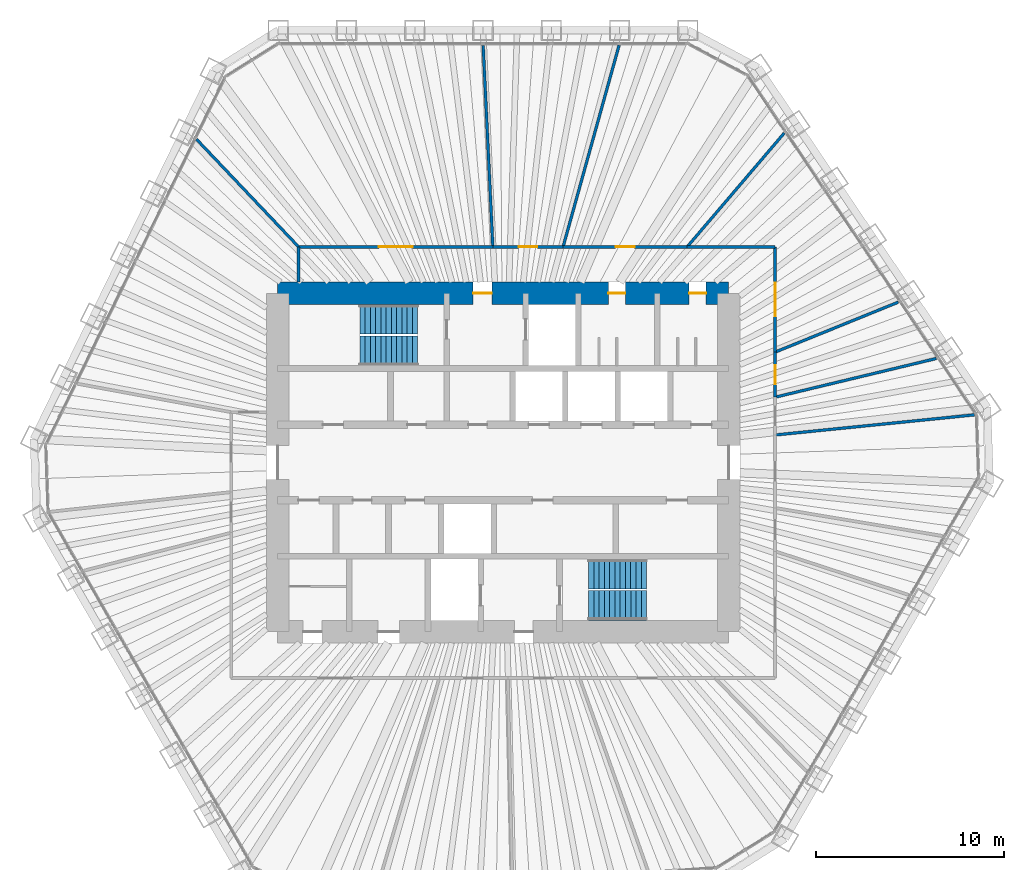
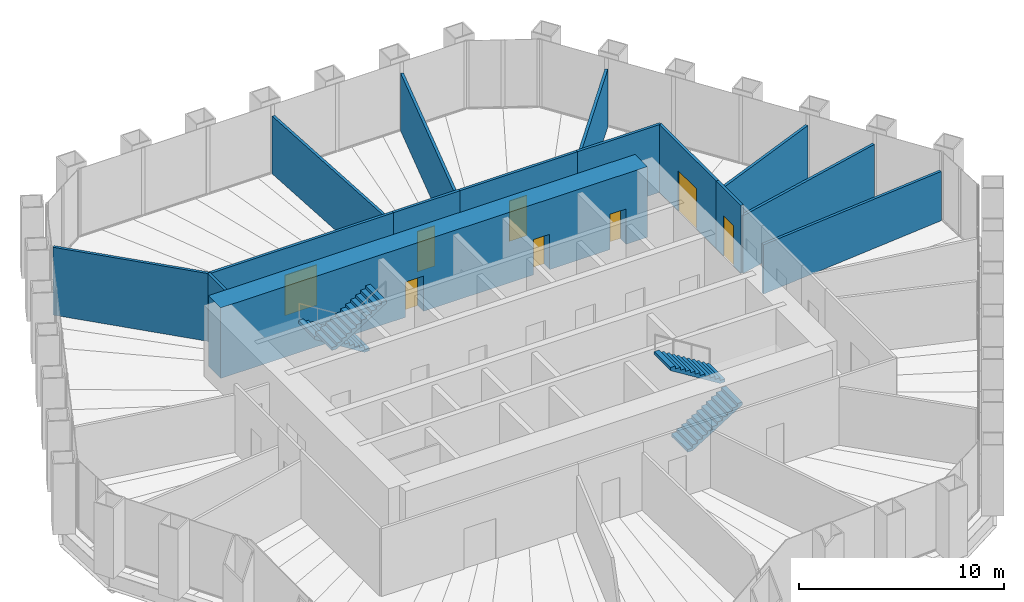
# One storey, part 12 of 13: 15 walls, 8 doors, 4 stair flights, 8 openings, 2 elements without a shape of their own.
"""IFC4 building model written with IfcOpenShell, lengths in metres."""

from ifc_helpers import new_model, si_unit, direction, frame, frame_2d, origin, place, context, subcontext, project, spatial, polyline, rectangle, outline, extrude, material, layer, layer_set, type_object, element, fill, aggregate, save


model = new_model("IFC4")

# Units and contexts
model_context = context("Model", 3, precision=1e-05, world=origin(), true_north=direction((0.0, 1.0)))
body_context = subcontext(model_context, "Body", "Model", "MODEL_VIEW")
ifc_project = project(units=[si_unit("LENGTHUNIT", "METRE"), si_unit("AREAUNIT", "SQUARE_METRE"), si_unit("VOLUMEUNIT", "CUBIC_METRE"), si_unit("PLANEANGLEUNIT", "RADIAN"), si_unit("MASSUNIT", "GRAM", prefix="KILO")], contexts=[model_context])

# Site, building, storey
site_placement = place(None, origin())
site = spatial("IfcSite", under=ifc_project, at=site_placement, CompositionType="ELEMENT")
building_placement = place(site_placement, origin())
building = spatial("IfcBuilding", under=site, at=building_placement, Name="Qingtian Harvest Tower", CompositionType="ELEMENT")
storey_placement = place(building_placement, frame((0.0, 0.0, 214.0)))
storey = spatial("IfcBuildingStorey", under=building, at=storey_placement, Name="L46", CompositionType="ELEMENT", Elevation=214.0)

# Wall, openings, doors
ifc_material_1 = material(Name="Concrete fc' 70 MPa", Category="concrete")
ifc_layer_1 = layer(ifc_material_1, 1.199951171875)
ifc_layer_set_1 = layer_set([ifc_layer_1], Name="Core wall RC2 1200")
wall_type_1 = type_object("IfcWallType", Name="Core wall RC2 1200", PredefinedType="SHEAR", material=ifc_layer_set_1)
wall_1_placement = place(storey_placement, frame((-12.0, 9.0, 0.0), z_axis=(0.0, 0.0, 1.0), x_axis=(1.0, 0.0, 0.0)))
wall_1 = element("IfcWall", 1, at=wall_1_placement, inside=storey, type_object=wall_type_1, Name="Core wall CN L46", PredefinedType="SHEAR", context=body_context, shape_type="SweptSolid", body=[
    extrude(rectangle(XDim=24.0, YDim=1.199951171875, at=frame_2d((12.0, 0.0))), origin(), (0.0, 0.0, 1.0), 4.199951171875),
])
opening_1_placement = place(wall_1_placement, frame((10.39990234375, 0.0, 0.0)))
opening_1 = element("IfcOpeningElement", 2, at=opening_1_placement, cuts=wall_1, Name="Opening FD1", PredefinedType="OPENING", context=body_context, shape_type="SweptSolid", body=[
    extrude(rectangle(XDim=1.0, YDim=2.10009765625, at=frame_2d((0.5, 1.050048828125))), frame((0.0, 0.60986328125, 0.0), z_axis=(0.0, -1.0, 0.0), x_axis=(1.0, 0.0, 0.0)), (0.0, 0.0, 1.0), 1.219970703125),
])
opening_2_placement = place(wall_1_placement, frame((17.60009765625, 0.0, 0.0)))
opening_2 = element("IfcOpeningElement", 3, at=opening_2_placement, cuts=wall_1, Name="Opening D1", PredefinedType="OPENING", context=body_context, shape_type="SweptSolid", body=[
    extrude(rectangle(XDim=0.89990234375, YDim=2.10009765625, at=frame_2d((0.449951171875, 1.050048828125))), frame((0.0, 0.60986328125, 0.0), z_axis=(0.0, -1.0, 0.0), x_axis=(1.0, 0.0, 0.0)), (0.0, 0.0, 1.0), 1.219970703125),
])
opening_3_placement = place(wall_1_placement, frame((21.89990234375, 0.0, 0.0)))
opening_3 = element("IfcOpeningElement", 4, at=opening_3_placement, cuts=wall_1, Name="Opening D1", PredefinedType="OPENING", context=body_context, shape_type="SweptSolid", body=[
    extrude(rectangle(XDim=0.89990234375, YDim=2.10009765625, at=frame_2d((0.449951171875, 1.050048828125))), frame((0.0, 0.60986328125, 0.0), z_axis=(0.0, -1.0, 0.0), x_axis=(1.0, 0.0, 0.0)), (0.0, 0.0, 1.0), 1.219970703125),
])
ifc_material_2 = material(Name="Steel-faced door leaf", Category="steel")
door_type_1 = type_object("IfcDoorType", Name="Fire door FD1 single 1 HR", OperationType="SINGLE_SWING_LEFT", PredefinedType="DOOR", material=ifc_material_2)
door_1_placement = place(opening_1_placement, origin())
door_1 = element("IfcDoor", 5, at=door_1_placement, inside=storey, type_object=door_type_1, Name="V1 door L46", OperationType="SINGLE_SWING_RIGHT", OverallHeight=2.10009765625, OverallWidth=1.0, PredefinedType="DOOR", context=body_context, shape_type="SweptSolid", body=[
    extrude(rectangle(XDim=1.0, YDim=2.10009765625, at=frame_2d((0.5, 1.050048828125))), frame((0.0, 0.02490234375, 0.0), z_axis=(0.0, -1.0, 0.0), x_axis=(1.0, 0.0, 0.0)), (0.0, 0.0, 1.0), 0.050048828125),
])
fill(opening_1, door_1)
ifc_material_3 = material(Name="Laminated timber door leaf", Category="wood")
door_type_2 = type_object("IfcDoorType", Name="Toilet door D1 single", OperationType="SINGLE_SWING_LEFT", PredefinedType="DOOR", material=ifc_material_3)
door_2_placement = place(opening_2_placement, origin())
door_2 = element("IfcDoor", 6, at=door_2_placement, inside=storey, type_object=door_type_2, Name="WCM door L46", OperationType="SINGLE_SWING_LEFT", OverallHeight=2.10009765625, OverallWidth=0.89990234375, PredefinedType="DOOR", context=body_context, shape_type="SweptSolid", body=[
    extrude(rectangle(XDim=0.89990234375, YDim=2.10009765625, at=frame_2d((0.449951171875, 1.050048828125))), frame((0.0, 0.02490234375, 0.0), z_axis=(0.0, -1.0, 0.0), x_axis=(1.0, 0.0, 0.0)), (0.0, 0.0, 1.0), 0.050048828125),
])
fill(opening_2, door_2)
door_3_placement = place(opening_3_placement, origin())
door_3 = element("IfcDoor", 7, at=door_3_placement, inside=storey, type_object=door_type_2, Name="WCF door L46", OperationType="SINGLE_SWING_LEFT", OverallHeight=2.10009765625, OverallWidth=0.89990234375, PredefinedType="DOOR", context=body_context, shape_type="SweptSolid", body=[
    extrude(rectangle(XDim=0.89990234375, YDim=2.10009765625, at=frame_2d((0.449951171875, 1.050048828125))), frame((0.0, 0.02490234375, 0.0), z_axis=(0.0, -1.0, 0.0), x_axis=(1.0, 0.0, 0.0)), (0.0, 0.0, 1.0), 0.050048828125),
])
fill(opening_3, door_3)

# Walls
ifc_material_4 = material(Name="Gypsum board on steel studs", Category="steel")
ifc_layer_2 = layer(ifc_material_4, 0.14990234375)
ifc_layer_set_2 = layer_set([ifc_layer_2], Name="Partition PT1 150")
wall_type_2 = type_object("IfcWallType", Name="Partition PT1 150", PredefinedType="PARTITIONING", material=ifc_layer_set_2)
wall_2_placement = place(storey_placement, frame((-10.888671875, 9.60009765625, 0.0), z_axis=(0.0, 0.0, 1.0), x_axis=(0.0, 1.0, 0.0)))
element("IfcWall", 8, at=wall_2_placement, inside=storey, type_object=wall_type_2, Name="Workplace zone wall L46", PredefinedType="PARTITIONING", context=body_context, shape_type="SweptSolid", body=[
    extrude(rectangle(XDim=1.875, YDim=0.14990234375, at=frame_2d((0.9375, 0.0))), origin(), (0.0, 0.0, 1.0), 4.030029296875),
])
wall_3_placement = place(storey_placement, frame((-16.31884765625, 17.19775390625, 0.0), z_axis=(0.0, 0.0, 1.0), x_axis=(0.688326413955, -0.725401094466, 0.0)))
element("IfcWall", 9, at=wall_3_placement, inside=storey, type_object=wall_type_2, Name="Meeting room wall L46", PredefinedType="PARTITIONING", context=body_context, shape_type="SweptSolid", body=[
    extrude(rectangle(XDim=7.888916015625, YDim=0.14990234375, at=frame_2d((3.9443359375, 0.0))), origin(), (0.0, 0.0, 1.0), 4.030029296875),
])

# Wall, opening, door
wall_4_placement = place(storey_placement, frame((-10.888671875, 11.47509765625, 0.0), z_axis=(0.0, 0.0, 1.0), x_axis=(1.0, 0.0, 0.0)))
wall_4 = element("IfcWall", 10, at=wall_4_placement, inside=storey, type_object=wall_type_2, Name="Meeting room wall L46", PredefinedType="PARTITIONING", context=body_context, shape_type="SweptSolid", body=[
    extrude(rectangle(XDim=10.33740234375, YDim=0.14990234375, at=frame_2d((5.168701171875, 0.0))), origin(), (0.0, 0.0, 1.0), 4.030029296875),
])
opening_4_placement = place(wall_4_placement, frame((4.268798828125, 0.0, 0.0)))
opening_4 = element("IfcOpeningElement", 11, at=opening_4_placement, cuts=wall_4, Name="Opening D3", PredefinedType="OPENING", context=body_context, shape_type="SweptSolid", body=[
    extrude(rectangle(XDim=1.800048828125, YDim=2.39990234375, at=frame_2d((0.89990234375, 1.199951171875))), frame((0.0, 0.0849609375, 0.0), z_axis=(0.0, -1.0, 0.0), x_axis=(1.0, 0.0, 0.0)), (0.0, 0.0, 1.0), 0.169921875),
])
ifc_material_5 = material(Name="Laminated timber door leaf", Category="wood")
door_type_3 = type_object("IfcDoorType", Name="Room door D3 double", OperationType="DOUBLE_DOOR_DOUBLE_SWING", PredefinedType="DOOR", material=ifc_material_5)
door_4_placement = place(opening_4_placement, origin())
door_4 = element("IfcDoor", 12, at=door_4_placement, inside=storey, type_object=door_type_3, Name="Meeting room door L46", OperationType="DOUBLE_DOOR_DOUBLE_SWING", OverallHeight=2.39990234375, OverallWidth=1.800048828125, PredefinedType="DOOR", context=body_context, shape_type="SweptSolid", body=[
    extrude(rectangle(XDim=1.800048828125, YDim=2.39990234375, at=frame_2d((0.89990234375, 1.199951171875))), frame((0.0, 0.02490234375, 0.0), z_axis=(0.0, -1.0, 0.0), x_axis=(1.0, 0.0, 0.0)), (0.0, 0.0, 1.0), 0.050048828125),
])
fill(opening_4, door_4)

# Wall
wall_5_placement = place(storey_placement, frame((-1.066650390625, 22.2001953125, 0.0), z_axis=(0.0, 0.0, 1.0), x_axis=(0.047998335863, -0.998847415652, 0.0)))
element("IfcWall", 13, at=wall_5_placement, inside=storey, type_object=wall_type_2, Name="Focus room wall L46", PredefinedType="PARTITIONING", context=body_context, shape_type="SweptSolid", body=[
    extrude(rectangle(XDim=10.737548828125, YDim=0.14990234375, at=frame_2d((5.36865234375, 0.0))), origin(), (0.0, 0.0, 1.0), 3.429931640625),
])

# Wall, opening, door
wall_6_placement = place(storey_placement, frame((-0.55126953125, 11.47509765625, 0.0), z_axis=(0.0, 0.0, 1.0), x_axis=(1.0, 0.0, 0.0)))
wall_6 = element("IfcWall", 14, at=wall_6_placement, inside=storey, type_object=wall_type_2, Name="Focus room wall L46", PredefinedType="PARTITIONING", context=body_context, shape_type="SweptSolid", body=[
    extrude(rectangle(XDim=3.739501953125, YDim=0.14990234375, at=frame_2d((1.86962890625, 0.0))), origin(), (0.0, 0.0, 1.0), 4.030029296875),
])
opening_5_placement = place(wall_6_placement, frame((1.36962890625, 0.0, 0.0)))
opening_5 = element("IfcOpeningElement", 15, at=opening_5_placement, cuts=wall_6, Name="Opening D2", PredefinedType="OPENING", context=body_context, shape_type="SweptSolid", body=[
    extrude(rectangle(XDim=1.0, YDim=2.39990234375, at=frame_2d((0.5, 1.199951171875))), frame((0.0, 0.0849609375, 0.0), z_axis=(0.0, -1.0, 0.0), x_axis=(1.0, 0.0, 0.0)), (0.0, 0.0, 1.0), 0.169921875),
])
ifc_material_6 = material(Name="Laminated timber door leaf", Category="wood")
door_type_4 = type_object("IfcDoorType", Name="Room door D2 single", OperationType="SINGLE_SWING_LEFT", PredefinedType="DOOR", material=ifc_material_6)
door_5_placement = place(opening_5_placement, origin())
door_5 = element("IfcDoor", 16, at=door_5_placement, inside=storey, type_object=door_type_4, Name="Focus room door L46", OperationType="SINGLE_SWING_RIGHT", OverallHeight=2.39990234375, OverallWidth=1.0, PredefinedType="DOOR", context=body_context, shape_type="SweptSolid", body=[
    extrude(rectangle(XDim=1.0, YDim=2.39990234375, at=frame_2d((0.5, 1.199951171875))), frame((0.0, 0.02490234375, 0.0), z_axis=(0.0, -1.0, 0.0), x_axis=(1.0, 0.0, 0.0)), (0.0, 0.0, 1.0), 0.050048828125),
])
fill(opening_5, door_5)

# Wall
wall_7_placement = place(storey_placement, frame((6.1689453125, 22.20361328125, 0.0), z_axis=(0.0, 0.0, 1.0), x_axis=(-0.26769135876, -0.963504715321, 0.0)))
element("IfcWall", 17, at=wall_7_placement, inside=storey, type_object=wall_type_2, Name="Pantry wall L46", PredefinedType="PARTITIONING", context=body_context, shape_type="SweptSolid", body=[
    extrude(rectangle(XDim=11.134765625, YDim=0.14990234375, at=frame_2d((5.5673828125, 0.0))), origin(), (0.0, 0.0, 1.0), 3.429931640625),
])

# Wall, opening, door
wall_8_placement = place(storey_placement, frame((3.188232421875, 11.47509765625, 0.0), z_axis=(0.0, 0.0, 1.0), x_axis=(1.0, 0.0, 0.0)))
wall_8 = element("IfcWall", 18, at=wall_8_placement, inside=storey, type_object=wall_type_2, Name="Pantry wall L46", PredefinedType="PARTITIONING", context=body_context, shape_type="SweptSolid", body=[
    extrude(rectangle(XDim=6.602783203125, YDim=0.14990234375, at=frame_2d((3.30126953125, 0.0))), origin(), (0.0, 0.0, 1.0), 4.030029296875),
])
opening_6_placement = place(wall_8_placement, frame((2.801513671875, 0.0, 0.0)))
opening_6 = element("IfcOpeningElement", 19, at=opening_6_placement, cuts=wall_8, Name="Opening D2", PredefinedType="OPENING", context=body_context, shape_type="SweptSolid", body=[
    extrude(rectangle(XDim=1.0, YDim=2.39990234375, at=frame_2d((0.5, 1.199951171875))), frame((0.0, 0.0849609375, 0.0), z_axis=(0.0, -1.0, 0.0), x_axis=(1.0, 0.0, 0.0)), (0.0, 0.0, 1.0), 0.169921875),
])
door_6_placement = place(opening_6_placement, origin())
door_6 = element("IfcDoor", 20, at=door_6_placement, inside=storey, type_object=door_type_4, Name="Pantry door L46", OperationType="SINGLE_SWING_RIGHT", OverallHeight=2.39990234375, OverallWidth=1.0, PredefinedType="DOOR", context=body_context, shape_type="SweptSolid", body=[
    extrude(rectangle(XDim=1.0, YDim=2.39990234375, at=frame_2d((0.5, 1.199951171875))), frame((0.0, 0.02490234375, 0.0), z_axis=(0.0, -1.0, 0.0), x_axis=(1.0, 0.0, 0.0)), (0.0, 0.0, 1.0), 0.050048828125),
])
fill(opening_6, door_6)

# Walls
wall_9_placement = place(storey_placement, frame((14.9580078125, 17.530517578125, 0.0), z_axis=(0.0, 0.0, 1.0), x_axis=(-0.649097500837, -0.760705221756, 0.0)))
element("IfcWall", 21, at=wall_9_placement, inside=storey, type_object=wall_type_2, Name="Workplace zone wall L46", PredefinedType="PARTITIONING", context=body_context, shape_type="SweptSolid", body=[
    extrude(rectangle(XDim=7.960205078125, YDim=0.14990234375, at=frame_2d((3.97998046875, 0.0))), origin(), (0.0, 0.0, 1.0), 3.429931640625),
])
wall_10_placement = place(storey_placement, frame((9.791015625, 11.47509765625, 0.0), z_axis=(0.0, 0.0, 1.0), x_axis=(1.0, 0.0, 0.0)))
element("IfcWall", 22, at=wall_10_placement, inside=storey, type_object=wall_type_2, Name="Workplace zone wall L46", PredefinedType="PARTITIONING", context=body_context, shape_type="SweptSolid", body=[
    extrude(rectangle(XDim=4.68408203125, YDim=0.14990234375, at=frame_2d((2.342041015625, 0.0))), origin(), (0.0, 0.0, 1.0), 4.030029296875),
])

# Wall, opening, door
wall_11_placement = place(storey_placement, frame((14.47509765625, 11.47509765625, 0.0), z_axis=(0.0, 0.0, 1.0), x_axis=(0.0, -1.0, 0.0)))
wall_11 = element("IfcWall", 23, at=wall_11_placement, inside=storey, type_object=wall_type_2, Name="Workplace zone wall L46", PredefinedType="PARTITIONING", context=body_context, shape_type="SweptSolid", body=[
    extrude(rectangle(XDim=5.601318359375, YDim=0.14990234375, at=frame_2d((2.80078125, 0.0))), origin(), (0.0, 0.0, 1.0), 4.030029296875),
])
opening_7_placement = place(wall_11_placement, frame((1.900634765625, 0.0, 0.0)))
opening_7 = element("IfcOpeningElement", 24, at=opening_7_placement, cuts=wall_11, Name="Opening D3", PredefinedType="OPENING", context=body_context, shape_type="SweptSolid", body=[
    extrude(rectangle(XDim=1.800048828125, YDim=2.39990234375, at=frame_2d((0.89990234375, 1.199951171875))), frame((0.0, 0.0849609375, 0.0), z_axis=(0.0, -1.0, 0.0), x_axis=(1.0, 0.0, 0.0)), (0.0, 0.0, 1.0), 0.169921875),
])
door_7_placement = place(opening_7_placement, origin())
door_7 = element("IfcDoor", 25, at=door_7_placement, inside=storey, type_object=door_type_3, Name="Workplace zone door L46", OperationType="DOUBLE_DOOR_DOUBLE_SWING", OverallHeight=2.39990234375, OverallWidth=1.800048828125, PredefinedType="DOOR", context=body_context, shape_type="SweptSolid", body=[
    extrude(rectangle(XDim=1.800048828125, YDim=2.39990234375, at=frame_2d((0.89990234375, 1.199951171875))), frame((0.0, 0.02490234375, 0.0), z_axis=(0.0, -1.0, 0.0), x_axis=(1.0, 0.0, 0.0)), (0.0, 0.0, 1.0), 0.050048828125),
])
fill(opening_7, door_7)

# Wall
wall_12_placement = place(storey_placement, frame((21.02587890625, 8.531982421875, 0.0), z_axis=(0.0, 0.0, 1.0), x_axis=(-0.926617028548, -0.376006492503, 0.0)))
element("IfcWall", 26, at=wall_12_placement, inside=storey, type_object=wall_type_2, Name="Store room wall L46", PredefinedType="PARTITIONING", context=body_context, shape_type="SweptSolid", body=[
    extrude(rectangle(XDim=7.069580078125, YDim=0.14990234375, at=frame_2d((3.53466796875, 0.0))), origin(), (0.0, 0.0, 1.0), 3.429931640625),
])

# Wall, opening, door
wall_13_placement = place(storey_placement, frame((14.47509765625, 5.873779296875, 0.0), z_axis=(0.0, 0.0, 1.0), x_axis=(0.0, -1.0, 0.0)))
wall_13 = element("IfcWall", 27, at=wall_13_placement, inside=storey, type_object=wall_type_2, Name="Store room wall L46", PredefinedType="PARTITIONING", context=body_context, shape_type="SweptSolid", body=[
    extrude(rectangle(XDim=2.399169921875, YDim=0.14990234375, at=frame_2d((1.19970703125, 0.0))), origin(), (0.0, 0.0, 1.0), 4.030029296875),
])
opening_8_placement = place(wall_13_placement, frame((0.699462890625, 0.0, 0.0)))
opening_8 = element("IfcOpeningElement", 28, at=opening_8_placement, cuts=wall_13, Name="Opening D2", PredefinedType="OPENING", context=body_context, shape_type="SweptSolid", body=[
    extrude(rectangle(XDim=1.0, YDim=2.39990234375, at=frame_2d((0.5, 1.199951171875))), frame((0.0, 0.0849609375, 0.0), z_axis=(0.0, -1.0, 0.0), x_axis=(1.0, 0.0, 0.0)), (0.0, 0.0, 1.0), 0.169921875),
])
door_8_placement = place(opening_8_placement, origin())
door_8 = element("IfcDoor", 29, at=door_8_placement, inside=storey, type_object=door_type_4, Name="Store room door L46", OperationType="SINGLE_SWING_RIGHT", OverallHeight=2.39990234375, OverallWidth=1.0, PredefinedType="DOOR", context=body_context, shape_type="SweptSolid", body=[
    extrude(rectangle(XDim=1.0, YDim=2.39990234375, at=frame_2d((0.5, 1.199951171875))), frame((0.0, 0.02490234375, 0.0), z_axis=(0.0, -1.0, 0.0), x_axis=(1.0, 0.0, 0.0)), (0.0, 0.0, 1.0), 0.050048828125),
])
fill(opening_8, door_8)

# Walls
wall_14_placement = place(storey_placement, frame((23.052978515625, 5.53369140625, 0.0), z_axis=(0.0, 0.0, 1.0), x_axis=(-0.972377252501, -0.233414821335, 0.0)))
element("IfcWall", 30, at=wall_14_placement, inside=storey, type_object=wall_type_2, Name="Private office wall L46", PredefinedType="PARTITIONING", context=body_context, shape_type="SweptSolid", body=[
    extrude(rectangle(XDim=8.821533203125, YDim=0.14990234375, at=frame_2d((4.41064453125, 0.0))), origin(), (0.0, 0.0, 1.0), 3.429931640625),
])
wall_15_placement = place(storey_placement, frame((25.082763671875, 2.53466796875, 0.0), z_axis=(0.0, 0.0, 1.0), x_axis=(-0.994932122767, -0.10054884925, 0.0)))
element("IfcWall", 31, at=wall_15_placement, inside=storey, type_object=wall_type_2, Name="Private office wall L46", PredefinedType="PARTITIONING", context=body_context, shape_type="SweptSolid", body=[
    extrude(rectangle(XDim=10.66162109375, YDim=0.14990234375, at=frame_2d((5.330810546875, 0.0))), origin(), (0.0, 0.0, 1.0), 2.929931640625),
])

# Stair, stair flights
ifc_material_7 = material(Name="Concrete fc' 35 MPa", Category="concrete")
stair_type = type_object("IfcStairType", Name="Special stair ST4 4200", PredefinedType="HALF_TURN_STAIR", material=ifc_material_7)
stair_1_placement = place(storey_placement, origin())
stair_1 = element("IfcStair", 32, at=stair_1_placement, inside=storey, type_object=stair_type, Name="Special stair S1 L46", PredefinedType="HALF_TURN_STAIR")
ifc_material_8 = material(Name="Concrete fc' 35 MPa", Category="concrete")
stair_flight_type = type_object("IfcStairFlightType", Name="Stair flight SF4 4200", PredefinedType="STRAIGHT", material=ifc_material_8)
stair_flight_1_placement = place(storey_placement, frame((-4.550048828125, 7.612548828125, 0.0), z_axis=(0.0, 0.0, 1.0), x_axis=(-1.0, 0.0, 0.0)))
stair_flight_1 = element("IfcStairFlight", 33, at=stair_flight_1_placement, type_object=stair_flight_type, Name="S1 flight 1", NumberOfRisers=12, NumberOfTreads=11, PredefinedType="STRAIGHT", RiserHeight=0.175, TreadLength=0.28, context=body_context, shape_type="SweptSolid", body=[
    extrude(outline(polyline([(0.0, 0.0), (0.0, 0.175048828125), (0.280029296875, 0.175048828125), (0.280029296875, 0.35009765625), (0.56005859375, 0.35009765625), (0.56005859375, 0.52490234375), (0.840087890625, 0.52490234375), (0.840087890625, 0.699951171875), (1.1201171875, 0.699951171875), (1.1201171875, 0.875), (1.39990234375, 0.875), (1.39990234375, 1.050048828125), (1.679931640625, 1.050048828125), (1.679931640625, 1.22509765625), (1.9599609375, 1.22509765625), (1.9599609375, 1.39990234375), (2.239990234375, 1.39990234375), (2.239990234375, 1.574951171875), (2.52001953125, 1.574951171875), (2.52001953125, 1.75), (2.800048828125, 1.75), (2.800048828125, 1.925048828125), (3.080078125, 1.925048828125), (3.080078125, 2.10009765625), (3.080078125, 1.748291015625), (0.28271484375, 0.0), (0.0, 0.0)])), frame((0.0, 0.78759765625, 0.0), z_axis=(0.0, -1.0, 0.0), x_axis=(1.0, 0.0, 0.0)), (0.0, 0.0, 1.0), 1.574951171875),
])
stair_flight_2_placement = place(storey_placement, frame((-7.6298828125, 5.9375, 2.10009765625), z_axis=(0.0, 0.0, 1.0), x_axis=(1.0, 0.0, 0.0)))
stair_flight_2 = element("IfcStairFlight", 34, at=stair_flight_2_placement, type_object=stair_flight_type, Name="S1 flight 2", NumberOfRisers=12, NumberOfTreads=11, PredefinedType="STRAIGHT", RiserHeight=0.175, TreadLength=0.28, context=body_context, shape_type="SweptSolid", body=[
    extrude(outline(polyline([(0.0, 0.0), (0.0, 0.175048828125), (0.280029296875, 0.175048828125), (0.280029296875, 0.35009765625), (0.56005859375, 0.35009765625), (0.56005859375, 0.52490234375), (0.840087890625, 0.52490234375), (0.840087890625, 0.699951171875), (1.1201171875, 0.699951171875), (1.1201171875, 0.875), (1.39990234375, 0.875), (1.39990234375, 1.050048828125), (1.679931640625, 1.050048828125), (1.679931640625, 1.22509765625), (1.9599609375, 1.22509765625), (1.9599609375, 1.39990234375), (2.239990234375, 1.39990234375), (2.239990234375, 1.574951171875), (2.52001953125, 1.574951171875), (2.52001953125, 1.75), (2.800048828125, 1.75), (2.800048828125, 1.925048828125), (3.080078125, 1.925048828125), (3.080078125, 2.10009765625), (3.080078125, 1.748291015625), (0.28271484375, 0.0), (0.0, 0.0)])), frame((0.0, 0.78759765625, 0.0), z_axis=(0.0, -1.0, 0.0), x_axis=(1.0, 0.0, 0.0)), (0.0, 0.0, 1.0), 1.574951171875),
])
aggregate(stair_1, [stair_flight_1, stair_flight_2])

stair_2_placement = place(storey_placement, origin())
stair_2 = element("IfcStair", 35, at=stair_2_placement, inside=storey, type_object=stair_type, Name="Special stair S2 L46", PredefinedType="HALF_TURN_STAIR")
stair_flight_3_placement = place(storey_placement, frame((4.550048828125, -7.612548828125, 0.0), z_axis=(0.0, 0.0, 1.0), x_axis=(1.0, 0.0, 0.0)))
stair_flight_3 = element("IfcStairFlight", 36, at=stair_flight_3_placement, type_object=stair_flight_type, Name="S2 flight 1", NumberOfRisers=12, NumberOfTreads=11, PredefinedType="STRAIGHT", RiserHeight=0.175, TreadLength=0.28, context=body_context, shape_type="SweptSolid", body=[
    extrude(outline(polyline([(0.0, 0.0), (0.0, 0.175048828125), (0.280029296875, 0.175048828125), (0.280029296875, 0.35009765625), (0.56005859375, 0.35009765625), (0.56005859375, 0.52490234375), (0.840087890625, 0.52490234375), (0.840087890625, 0.699951171875), (1.1201171875, 0.699951171875), (1.1201171875, 0.875), (1.39990234375, 0.875), (1.39990234375, 1.050048828125), (1.679931640625, 1.050048828125), (1.679931640625, 1.22509765625), (1.9599609375, 1.22509765625), (1.9599609375, 1.39990234375), (2.239990234375, 1.39990234375), (2.239990234375, 1.574951171875), (2.52001953125, 1.574951171875), (2.52001953125, 1.75), (2.800048828125, 1.75), (2.800048828125, 1.925048828125), (3.080078125, 1.925048828125), (3.080078125, 2.10009765625), (3.080078125, 1.748291015625), (0.28271484375, 0.0), (0.0, 0.0)])), frame((0.0, 0.78759765625, 0.0), z_axis=(0.0, -1.0, 0.0), x_axis=(1.0, 0.0, 0.0)), (0.0, 0.0, 1.0), 1.574951171875),
])
stair_flight_4_placement = place(storey_placement, frame((7.6298828125, -5.9375, 2.10009765625), z_axis=(0.0, 0.0, 1.0), x_axis=(-1.0, 0.0, 0.0)))
stair_flight_4 = element("IfcStairFlight", 37, at=stair_flight_4_placement, type_object=stair_flight_type, Name="S2 flight 2", NumberOfRisers=12, NumberOfTreads=11, PredefinedType="STRAIGHT", RiserHeight=0.175, TreadLength=0.28, context=body_context, shape_type="SweptSolid", body=[
    extrude(outline(polyline([(0.0, 0.0), (0.0, 0.175048828125), (0.280029296875, 0.175048828125), (0.280029296875, 0.35009765625), (0.56005859375, 0.35009765625), (0.56005859375, 0.52490234375), (0.840087890625, 0.52490234375), (0.840087890625, 0.699951171875), (1.1201171875, 0.699951171875), (1.1201171875, 0.875), (1.39990234375, 0.875), (1.39990234375, 1.050048828125), (1.679931640625, 1.050048828125), (1.679931640625, 1.22509765625), (1.9599609375, 1.22509765625), (1.9599609375, 1.39990234375), (2.239990234375, 1.39990234375), (2.239990234375, 1.574951171875), (2.52001953125, 1.574951171875), (2.52001953125, 1.75), (2.800048828125, 1.75), (2.800048828125, 1.925048828125), (3.080078125, 1.925048828125), (3.080078125, 2.10009765625), (3.080078125, 1.748291015625), (0.28271484375, 0.0), (0.0, 0.0)])), frame((0.0, 0.78759765625, 0.0), z_axis=(0.0, -1.0, 0.0), x_axis=(1.0, 0.0, 0.0)), (0.0, 0.0, 1.0), 1.574951171875),
])
aggregate(stair_2, [stair_flight_3, stair_flight_4])

save(model, "model.ifc")
